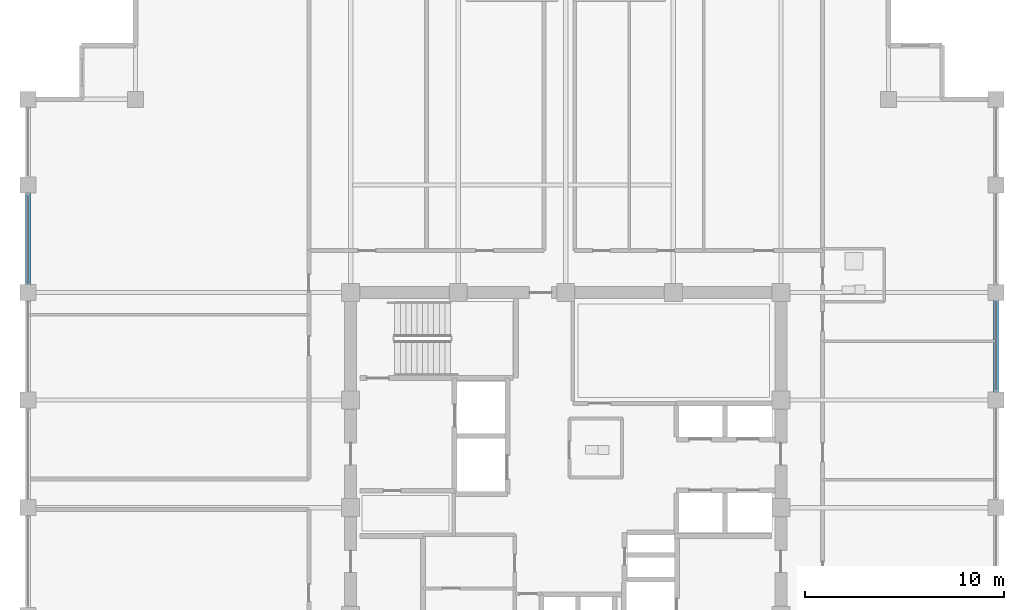
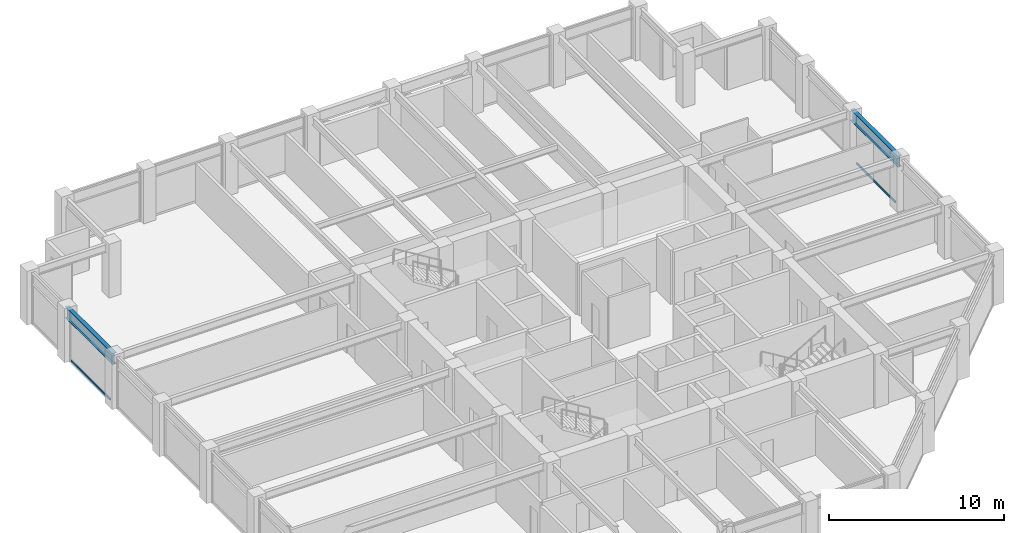
# One storey, part 15 of 32: 2 beams, 2 members, 2 elements without a shape of their own.
"""IFC4 building model written with IfcOpenShell, lengths in metres."""

from ifc_helpers import new_model, si_unit, direction, frame, origin, origin_2d, place, context, subcontext, project, spatial, hollow_rectangle, i_section, extrude, material, layer, layer_set, material_profile, profile_set, type_object, element, aggregate, save


model = new_model("IFC4")

# Units and contexts
model_context = context("Model", 3, precision=1e-05, world=origin(), true_north=direction((0.0, 1.0)))
body_context = subcontext(model_context, "Body", "Model", "MODEL_VIEW")
ifc_project = project(units=[si_unit("LENGTHUNIT", "METRE"), si_unit("AREAUNIT", "SQUARE_METRE"), si_unit("VOLUMEUNIT", "CUBIC_METRE"), si_unit("PLANEANGLEUNIT", "RADIAN"), si_unit("MASSUNIT", "GRAM", prefix="KILO")], contexts=[model_context])

# Site, building, storey
site_placement = place(None, origin())
site = spatial("IfcSite", under=ifc_project, at=site_placement, CompositionType="ELEMENT")
building_placement = place(site_placement, origin())
building = spatial("IfcBuilding", under=site, at=building_placement, Name="Surkhivell Harbour Commons", CompositionType="ELEMENT")
storey_placement = place(building_placement, frame((0.0, 0.0, 219.75)))
storey = spatial("IfcBuildingStorey", under=building, at=storey_placement, Name="L57", CompositionType="ELEMENT", Elevation=219.75)

# Beams
ifc_material_1 = material(Name="Steel S355", Category="steel")
ifc_material_profile_1 = material_profile(ifc_material_1, i_section(OverallWidth=0.26806640625, OverallDepth=0.77001953125, WebThickness=0.015625, FlangeThickness=0.025390625, at=origin_2d()), Name="UB762x267x197")
ifc_profile_set_1 = profile_set([ifc_material_profile_1], Name="Steel S355")
beam_type = type_object("IfcBeamType", Name="BM-SPN-762", PredefinedType="SPANDREL", material=ifc_profile_set_1)
beam_1_placement = place(storey_placement, frame((-27.0, 10.800048828125, 3.18505859375), z_axis=(0.0, 1.0, 0.0), x_axis=(-1.0, 0.0, 0.0)))
element("IfcBeam", 1, at=beam_1_placement, inside=storey, type_object=beam_type, Name="L57 Tube Spandrel (-27.0,10.8)", PredefinedType="SPANDREL", context=body_context, shape_type="SweptSolid", body=[
    extrude(i_section(OverallWidth=0.26806640625, OverallDepth=0.77001953125, WebThickness=0.015625, FlangeThickness=0.025390625, at=origin_2d()), origin(), (0.0, 0.0, 1.0), 5.39990234375),
])
beam_2_placement = place(storey_placement, frame((21.60009765625, 5.39990234375, 3.18505859375), z_axis=(0.0, 1.0, 0.0), x_axis=(-1.0, 0.0, 0.0)))
element("IfcBeam", 2, at=beam_2_placement, inside=storey, type_object=beam_type, Name="L57 Tube Spandrel (21.6,5.4)", PredefinedType="SPANDREL", context=body_context, shape_type="SweptSolid", body=[
    extrude(i_section(OverallWidth=0.26806640625, OverallDepth=0.77001953125, WebThickness=0.015625, FlangeThickness=0.025390625, at=origin_2d()), origin(), (0.0, 0.0, 1.0), 5.400146484375),
])

# Curtain wall, member
ifc_material_2 = material(Name="Anodised pale-metal aluminium and insulated glazing", Category="aluminium")
ifc_layer = layer(ifc_material_2, 0.18994140625)
ifc_layer_set = layer_set([ifc_layer], Name="Anodised pale-metal aluminium and insulated glazing")
curtain_wall_type = type_object("IfcCurtainWallType", Name="CW-SYS-Z3", PredefinedType="NOTDEFINED", material=ifc_layer_set)
curtain_wall_1_placement = place(storey_placement, origin())
curtain_wall_1 = element("IfcCurtainWall", 3, at=curtain_wall_1_placement, inside=storey, type_object=curtain_wall_type, Name="L57 Curtain Wall CW-L57-E02", PredefinedType="NOTDEFINED")
ifc_material_3 = material(Name="Champagne anodised aluminium alloy 6063-T6", Category="aluminium")
ifc_material_profile_2 = material_profile(ifc_material_3, hollow_rectangle(XDim=0.070068359375, YDim=0.1298828125, WallThickness=0.00341796875, at=origin_2d()), Name="ALU-TRAN-70x130")
ifc_profile_set_2 = profile_set([ifc_material_profile_2], Name="Champagne anodised aluminium alloy 6063-T6")
member_type = type_object("IfcMemberType", Name="CWT-130", PredefinedType="USERDEFINED", material=ifc_profile_set_2)
member_1_placement = place(storey_placement, frame((21.60009765625, 5.876953125, 0.06494140625), z_axis=(0.0, 1.0, 0.0), x_axis=(-1.0, 0.0, 0.0)))
member_1 = element("IfcMember", 4, at=member_1_placement, type_object=member_type, Name="CW-Z3 transom 3.1", ObjectType="TRANSOM", PredefinedType="USERDEFINED", context=body_context, shape_type="SweptSolid", body=[
    extrude(hollow_rectangle(XDim=0.070068359375, YDim=0.1298828125, WallThickness=0.00341796875, at=origin_2d()), origin(), (0.0, 0.0, 1.0), 4.446044921875),
])
aggregate(curtain_wall_1, [member_1])

curtain_wall_2_placement = place(storey_placement, origin())
curtain_wall_2 = element("IfcCurtainWall", 5, at=curtain_wall_2_placement, inside=storey, type_object=curtain_wall_type, Name="L57 Curtain Wall CW-L57-E12S1", PredefinedType="NOTDEFINED")
member_2_placement = place(storey_placement, frame((-27.0, 15.722900390625, 0.06494140625), z_axis=(0.0, -1.0, 0.0), x_axis=(1.0, 0.0, 0.0)))
member_2 = element("IfcMember", 6, at=member_2_placement, type_object=member_type, Name="CW-Z3 transom 2.1", ObjectType="TRANSOM", PredefinedType="USERDEFINED", context=body_context, shape_type="SweptSolid", body=[
    extrude(hollow_rectangle(XDim=0.070068359375, YDim=0.1298828125, WallThickness=0.00341796875, at=origin_2d()), origin(), (0.0, 0.0, 1.0), 4.44580078125),
])
aggregate(curtain_wall_2, [member_2])

save(model, "model.ifc")
